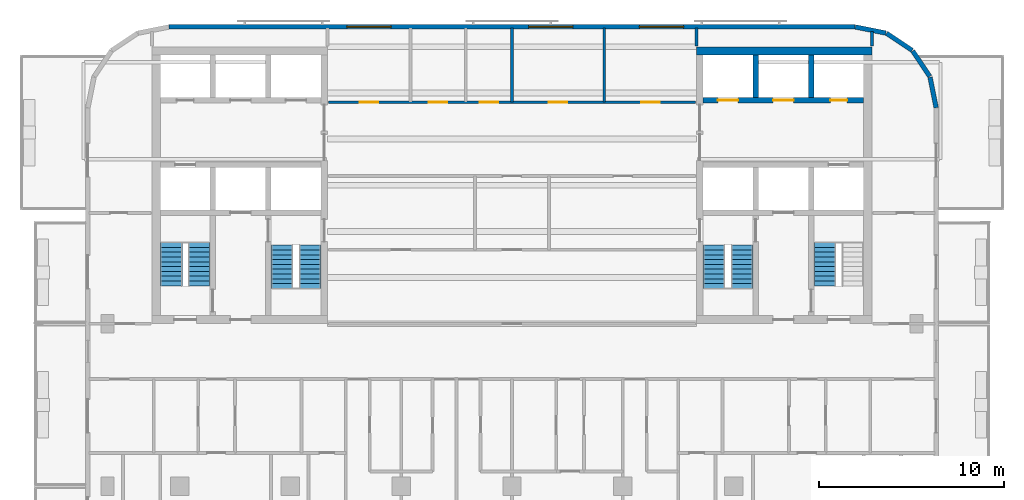
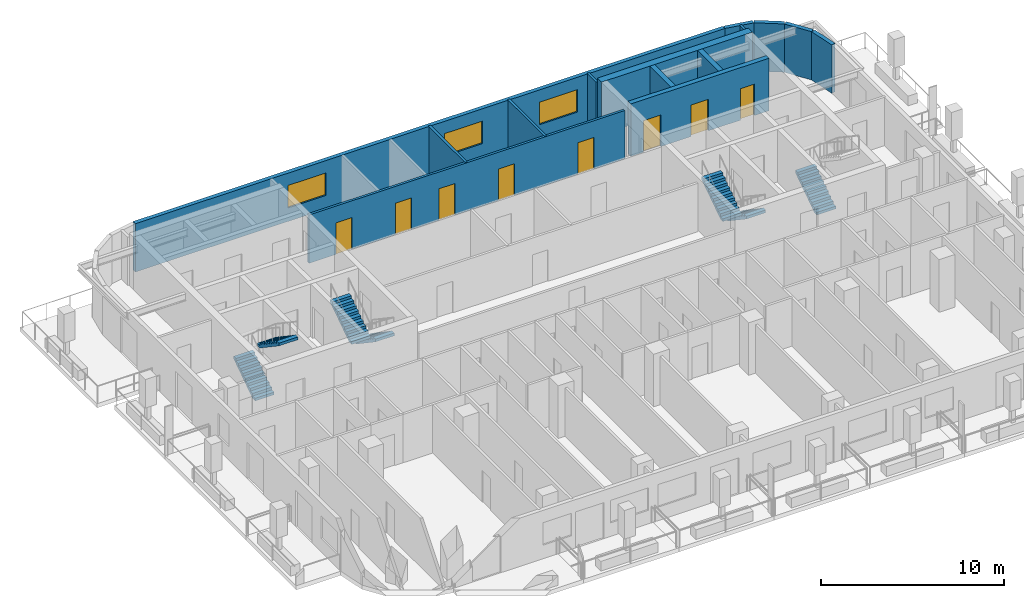
# One storey, part 7 of 11: 14 walls, 8 doors, 7 stair flights, 3 windows, 11 openings, 4 elements without a shape of their own.
"""IFC4 building model written with IfcOpenShell, lengths in metres."""

from ifc_helpers import new_model, si_unit, direction, frame, frame_2d, origin, place, context, subcontext, project, spatial, polyline, rectangle, outline, extrude, material, layer, layer_set, type_object, element, fill, aggregate, save


model = new_model("IFC4")

# Units and contexts
model_context = context("Model", 3, precision=1e-05, world=origin(), true_north=direction((0.0, 1.0)))
body_context = subcontext(model_context, "Body", "Model", "MODEL_VIEW")
ifc_project = project(units=[si_unit("LENGTHUNIT", "METRE"), si_unit("AREAUNIT", "SQUARE_METRE"), si_unit("VOLUMEUNIT", "CUBIC_METRE"), si_unit("PLANEANGLEUNIT", "RADIAN"), si_unit("MASSUNIT", "GRAM", prefix="KILO")], contexts=[model_context])

# Site, building, storey
site_placement = place(None, origin())
site = spatial("IfcSite", under=ifc_project, at=site_placement, CompositionType="ELEMENT")
building_placement = place(site_placement, origin())
building = spatial("IfcBuilding", under=site, at=building_placement, Name="Torana Hotel and Residences", CompositionType="ELEMENT")
storey_placement = place(building_placement, frame((0.0, 0.0, 270.10009765625)))
storey = spatial("IfcBuildingStorey", under=building, at=storey_placement, Name="L71", CompositionType="ELEMENT", Elevation=270.10009765625)

# Wall, openings, doors
ifc_material_1 = material(Name="Concrete C60/75", Category="concrete")
ifc_layer_1 = layer(ifc_material_1, 0.300048828125)
ifc_layer_set_1 = layer_set([ifc_layer_1], Name="CORE WALL 300 C60/75")
wall_type_1 = type_object("IfcWallType", Name="CORE WALL 300 C60/75", PredefinedType="SHEAR", material=ifc_layer_set_1)
wall_1_placement = place(storey_placement, frame((10.35009765625, -2.89990234375, 0.0), z_axis=(0.0, 0.0, 1.0), x_axis=(1.0, 0.0, 0.0)))
wall_1 = element("IfcWall", 1, at=wall_1_placement, inside=storey, type_object=wall_type_1, Name="Core wall E row-N", PredefinedType="SHEAR", context=body_context, shape_type="SweptSolid", body=[
    extrude(rectangle(XDim=8.699951171875, YDim=0.300048828125, at=frame_2d((4.35009765625, 0.0))), origin(), (0.0, 0.0, 1.0), 3.5),
])
opening_1_placement = place(wall_1_placement, frame((0.800048828125, 0.0, 0.0)))
opening_1 = element("IfcOpeningElement", 2, at=opening_1_placement, cuts=wall_1, Name="Opening LD", PredefinedType="OPENING", context=body_context, shape_type="SweptSolid", body=[
    extrude(rectangle(XDim=1.10009765625, YDim=2.10009765625, at=frame_2d((0.550048828125, 1.050048828125))), frame((0.0, 0.159912109375, 0.0), z_axis=(0.0, -1.0, 0.0), x_axis=(1.0, 0.0, 0.0)), (0.0, 0.0, 1.0), 0.320068359375),
])
opening_2_placement = place(wall_1_placement, frame((3.800048828125, 0.0, 0.0)))
opening_2 = element("IfcOpeningElement", 3, at=opening_2_placement, cuts=wall_1, Name="Opening LD", PredefinedType="OPENING", context=body_context, shape_type="SweptSolid", body=[
    extrude(rectangle(XDim=1.10009765625, YDim=2.10009765625, at=frame_2d((0.550048828125, 1.050048828125))), frame((0.0, 0.159912109375, 0.0), z_axis=(0.0, -1.0, 0.0), x_axis=(1.0, 0.0, 0.0)), (0.0, 0.0, 1.0), 0.320068359375),
])
opening_3_placement = place(wall_1_placement, frame((6.89990234375, 0.0, 0.0)))
opening_3 = element("IfcOpeningElement", 4, at=opening_3_placement, cuts=wall_1, Name="Opening L71-14", PredefinedType="OPENING", context=body_context, shape_type="SweptSolid", body=[
    extrude(rectangle(XDim=0.89990234375, YDim=2.10009765625, at=frame_2d((0.449951171875, 1.050048828125))), frame((0.0, 0.159912109375, 0.0), z_axis=(0.0, -1.0, 0.0), x_axis=(1.0, 0.0, 0.0)), (0.0, 0.0, 1.0), 0.320068359375),
])
ifc_material_2 = material(Name="Stainless steel 316", Category="steel")
door_type_1 = type_object("IfcDoorType", Name="LIFT LANDING DOOR LD 1100x2100", OperationType="DOUBLE_DOOR_SLIDING", PredefinedType="USERDEFINED", material=ifc_material_2)
door_1_placement = place(opening_1_placement, origin())
door_1 = element("IfcDoor", 5, at=door_1_placement, inside=storey, type_object=door_type_1, Name="Lift landing door H3 L71", ObjectType="LIFT LANDING DOOR", OperationType="DOUBLE_DOOR_SLIDING", OverallHeight=2.10009765625, OverallWidth=1.10009765625, PredefinedType="USERDEFINED", context=body_context, shape_type="SweptSolid", body=[
    extrude(rectangle(XDim=1.10009765625, YDim=2.10009765625, at=frame_2d((0.550048828125, 1.050048828125))), frame((0.0, 0.02490234375, 0.0), z_axis=(0.0, -1.0, 0.0), x_axis=(1.0, 0.0, 0.0)), (0.0, 0.0, 1.0), 0.050048828125),
])
fill(opening_1, door_1)
door_2_placement = place(opening_2_placement, origin())
door_2 = element("IfcDoor", 6, at=door_2_placement, inside=storey, type_object=door_type_1, Name="Lift landing door H4 L71", ObjectType="LIFT LANDING DOOR", OperationType="DOUBLE_DOOR_SLIDING", OverallHeight=2.10009765625, OverallWidth=1.10009765625, PredefinedType="USERDEFINED", context=body_context, shape_type="SweptSolid", body=[
    extrude(rectangle(XDim=1.10009765625, YDim=2.10009765625, at=frame_2d((0.550048828125, 1.050048828125))), frame((0.0, 0.02490234375, 0.0), z_axis=(0.0, -1.0, 0.0), x_axis=(1.0, 0.0, 0.0)), (0.0, 0.0, 1.0), 0.050048828125),
])
fill(opening_2, door_2)
ifc_material_3 = material(Name="Steel S235", Category="steel")
door_type_2 = type_object("IfcDoorType", Name="RISER ACCESS DOOR D5 900x2100", OperationType="SINGLE_SWING_LEFT", PredefinedType="DOOR", material=ifc_material_3)
door_3_placement = place(opening_3_placement, origin())
door_3 = element("IfcDoor", 7, at=door_3_placement, inside=storey, type_object=door_type_2, Name="N2 door L71", OperationType="SINGLE_SWING_RIGHT", OverallHeight=2.10009765625, OverallWidth=0.89990234375, PredefinedType="DOOR", context=body_context, shape_type="SweptSolid", body=[
    extrude(rectangle(XDim=0.89990234375, YDim=2.10009765625, at=frame_2d((0.449951171875, 1.050048828125))), frame((0.0, 0.02490234375, 0.0), z_axis=(0.0, -1.0, 0.0), x_axis=(1.0, 0.0, 0.0)), (0.0, 0.0, 1.0), 0.050048828125),
])
fill(opening_3, door_3)

# Walls
for number, where, z_axis, x_axis, name in (
    (8, (13.199951171875, -2.75, 0.0), (0.0, 0.0, 1.0), (0.0, 1.0, 0.0), "Core wall E x3.05-N"),
    (9, (16.199951171875, -2.75, 0.0), (0.0, 0.0, 1.0), (0.0, 1.0, 0.0), "Core wall E x6.05-N"),
):
    element("IfcWall", number, at=place(storey_placement, frame(where, z_axis=z_axis, x_axis=x_axis)), inside=storey, type_object=wall_type_1, Name=name, PredefinedType="SHEAR", context=body_context, shape_type="SweptSolid", body=[
        extrude(rectangle(XDim=2.300048828125, YDim=0.300048828125, at=frame_2d((1.14990234375, 0.0))), origin(), (0.0, 0.0, 1.0), 3.5),
    ])
ifc_material_4 = material(Name="Concrete C60/75", Category="concrete")
ifc_layer_2 = layer(ifc_material_4, 0.449951171875)
ifc_layer_set_2 = layer_set([ifc_layer_2], Name="CORE WALL 450 C60/75")
wall_type_2 = type_object("IfcWallType", Name="CORE WALL 450 C60/75", PredefinedType="SHEAR", material=ifc_layer_set_2)
wall_2_placement = place(storey_placement, frame((10.0, -0.22509765625, 0.0), z_axis=(0.0, 0.0, 1.0), x_axis=(1.0, 0.0, 0.0)))
element("IfcWall", 10, at=wall_2_placement, inside=storey, type_object=wall_type_2, Name="Core wall E rear", PredefinedType="SHEAR", context=body_context, shape_type="SweptSolid", body=[
    extrude(rectangle(XDim=9.5, YDim=0.449951171875, at=frame_2d((4.75, 0.0))), origin(), (0.0, 0.0, 1.0), 3.5),
])
ifc_material_5 = material(Name="Black aluminium composite panel", Category="aluminium")
ifc_layer_3 = layer(ifc_material_5, 0.00390625, Name="Cladding", Category="cladding")
ifc_material_6 = material(Name="Ventilated air cavity")
ifc_layer_4 = layer(ifc_material_6, 0.0400390625, Name="Ventilated cavity", Category="cavity")
ifc_material_7 = material(Name="Mineral wool insulation")
ifc_layer_5 = layer(ifc_material_7, 0.090087890625, Name="Insulation", Category="insulation")
ifc_material_8 = material(Name="Steel S280GD", Category="steel")
ifc_layer_6 = layer(ifc_material_8, 0.092041015625, Name="Steel stud frame", Category="structure")
ifc_material_9 = material(Name="Fire rated plasterboard")
ifc_layer_7 = layer(ifc_material_9, 0.011962890625, Name="Inner board", Category="finish")
ifc_layer_8 = layer(ifc_material_9, 0.011962890625, Name="Second board", Category="finish")
ifc_layer_set_3 = layer_set([ifc_layer_3, ifc_layer_4, ifc_layer_5, ifc_layer_6, ifc_layer_7, ifc_layer_8], Name="EW1 EXTERNAL WALL BLACK METAL CLAD 250")
wall_type_3 = type_object("IfcWallType", Name="EW1 EXTERNAL WALL BLACK METAL CLAD 250", PredefinedType="SOLIDWALL", material=ifc_layer_set_3)
wall_3_placement = place(storey_placement, frame((22.97265625, -3.30029296875, 0.0), z_axis=(0.0, 0.0, 1.0), x_axis=(-0.19513878023, 0.980775640221, 0.0)))
element("IfcWall", 11, at=wall_3_placement, inside=storey, type_object=wall_type_3, Name="External wall L71 e0.0", PredefinedType="SOLIDWALL", context=body_context, shape_type="SweptSolid", body=[
    extrude(rectangle(XDim=1.681396484375, YDim=0.25, at=frame_2d((0.8408203125, 0.0))), origin(), (0.0, 0.0, 1.0), 3.219970703125),
])
for number, where, z_axis, x_axis, name in (
    (12, (22.6259765625, -1.60595703125, 0.0), (0.0, 0.0, 1.0), (-0.55555029066, 0.831482937015, 0.0), "External wall L71 e0.1"),
    (13, (21.671142578125, -0.1943359375, 0.0), (0.0, 0.0, 1.0), (-0.831482937015, 0.55555029066, 0.0), "External wall L71 e0.2"),
):
    element("IfcWall", number, at=place(storey_placement, frame(where, z_axis=z_axis, x_axis=x_axis)), inside=storey, type_object=wall_type_3, Name=name, PredefinedType="SOLIDWALL", context=body_context, shape_type="SweptSolid", body=[
        extrude(rectangle(XDim=1.65625, YDim=0.25, at=frame_2d((0.828125, 0.0))), origin(), (0.0, 0.0, 1.0), 3.219970703125),
    ])
wall_4_placement = place(storey_placement, frame((20.248779296875, 0.74462890625, 0.0), z_axis=(0.0, 0.0, 1.0), x_axis=(-0.980797896849, 0.195026884138, 0.0)))
element("IfcWall", 14, at=wall_4_placement, inside=storey, type_object=wall_type_3, Name="External wall L71 e0.3", PredefinedType="SOLIDWALL", context=body_context, shape_type="SweptSolid", body=[
    extrude(rectangle(XDim=1.68115234375, YDim=0.25, at=frame_2d((0.840576171875, 0.0))), origin(), (0.0, 0.0, 1.0), 3.219970703125),
])

# Wall, openings, windows
ifc_material_10 = material(Name="Concrete C40/50 precast", Category="concrete")
ifc_layer_9 = layer(ifc_material_10, 0.10009765625, Name="Perforated block", Category="cladding")
ifc_material_11 = material(Name="Air cavity")
ifc_layer_10 = layer(ifc_material_11, 0.030029296875, Name="Cavity", Category="cavity")
ifc_material_12 = material(Name="Concrete C40/50", Category="concrete")
ifc_layer_11 = layer(ifc_material_12, 0.10009765625, Name="Wall", Category="structure")
ifc_material_13 = material(Name="Plaster and paint")
ifc_layer_12 = layer(ifc_material_13, 0.02001953125, Name="Inner finish", Category="finish")
ifc_layer_set_4 = layer_set([ifc_layer_9, ifc_layer_10, ifc_layer_11, ifc_layer_12], Name="EW2 PERFORATED BLOCK SCREEN WALL 250")
wall_type_4 = type_object("IfcWallType", Name="EW2 PERFORATED BLOCK SCREEN WALL 250", PredefinedType="SOLIDWALL", material=ifc_layer_set_4)
wall_5_placement = place(storey_placement, frame((18.575439453125, 1.074951171875, 0.0), z_axis=(0.0, 0.0, 1.0), x_axis=(-1.0, 0.0, 0.0)))
wall_5 = element("IfcWall", 15, at=wall_5_placement, inside=storey, type_object=wall_type_4, Name="External wall L71 e0.4", PredefinedType="SOLIDWALL", context=body_context, shape_type="SweptSolid", body=[
    extrude(rectangle(XDim=37.15087890625, YDim=0.25, at=frame_2d((18.575439453125, 0.0))), origin(), (0.0, 0.0, 1.0), 3.219970703125),
])
opening_4_placement = place(wall_5_placement, frame((9.275390625, 0.0, 0.89990234375)))
opening_4 = element("IfcOpeningElement", 16, at=opening_4_placement, cuts=wall_5, Name="Opening W3", PredefinedType="OPENING", context=body_context, shape_type="SweptSolid", body=[
    extrude(rectangle(XDim=2.39990234375, YDim=1.5, at=frame_2d((1.199951171875, 0.75))), frame((0.0, 0.135009765625, 0.0), z_axis=(0.0, -1.0, 0.0), x_axis=(1.0, 0.0, 0.0)), (0.0, 0.0, 1.0), 0.27001953125),
])
opening_5_placement = place(wall_5_placement, frame((15.275390625, 0.0, 0.89990234375)))
opening_5 = element("IfcOpeningElement", 17, at=opening_5_placement, cuts=wall_5, Name="Opening W3", PredefinedType="OPENING", context=body_context, shape_type="SweptSolid", body=[
    extrude(rectangle(XDim=2.39990234375, YDim=1.5, at=frame_2d((1.199951171875, 0.75))), frame((0.0, 0.135009765625, 0.0), z_axis=(0.0, -1.0, 0.0), x_axis=(1.0, 0.0, 0.0)), (0.0, 0.0, 1.0), 0.27001953125),
])
opening_6_placement = place(wall_5_placement, frame((25.12548828125, 0.0, 0.89990234375)))
opening_6 = element("IfcOpeningElement", 18, at=opening_6_placement, cuts=wall_5, Name="Opening W3", PredefinedType="OPENING", context=body_context, shape_type="SweptSolid", body=[
    extrude(rectangle(XDim=2.39990234375, YDim=1.5, at=frame_2d((1.199951171875, 0.75))), frame((0.0, 0.135009765625, 0.0), z_axis=(0.0, -1.0, 0.0), x_axis=(1.0, 0.0, 0.0)), (0.0, 0.0, 1.0), 0.27001953125),
])
ifc_material_14 = material(Name="Dark glass in black aluminium frame", Category="aluminium")
window_type = type_object("IfcWindowType", Name="W3 RESIDENCE WINDOW 2400x1500", PartitioningType="SINGLE_PANEL", PredefinedType="WINDOW", material=ifc_material_14)
window_1_placement = place(opening_4_placement, origin())
window_1 = element("IfcWindow", 19, at=window_1_placement, inside=storey, type_object=window_type, Name="Window L71", OverallHeight=1.5, OverallWidth=2.39990234375, PartitioningType="SINGLE_PANEL", PredefinedType="WINDOW", context=body_context, shape_type="SweptSolid", body=[
    extrude(rectangle(XDim=2.39990234375, YDim=1.5, at=frame_2d((1.199951171875, 0.75))), frame((0.0, 0.030029296875, 0.0), z_axis=(0.0, -1.0, 0.0), x_axis=(1.0, 0.0, 0.0)), (0.0, 0.0, 1.0), 0.06005859375),
])
fill(opening_4, window_1)
window_2_placement = place(opening_5_placement, origin())
window_2 = element("IfcWindow", 20, at=window_2_placement, inside=storey, type_object=window_type, Name="Window L71", OverallHeight=1.5, OverallWidth=2.39990234375, PartitioningType="SINGLE_PANEL", PredefinedType="WINDOW", context=body_context, shape_type="SweptSolid", body=[
    extrude(rectangle(XDim=2.39990234375, YDim=1.5, at=frame_2d((1.199951171875, 0.75))), frame((0.0, 0.030029296875, 0.0), z_axis=(0.0, -1.0, 0.0), x_axis=(1.0, 0.0, 0.0)), (0.0, 0.0, 1.0), 0.06005859375),
])
fill(opening_5, window_2)
window_3_placement = place(opening_6_placement, origin())
window_3 = element("IfcWindow", 21, at=window_3_placement, inside=storey, type_object=window_type, Name="Window L71", OverallHeight=1.5, OverallWidth=2.39990234375, PartitioningType="SINGLE_PANEL", PredefinedType="WINDOW", context=body_context, shape_type="SweptSolid", body=[
    extrude(rectangle(XDim=2.39990234375, YDim=1.5, at=frame_2d((1.199951171875, 0.75))), frame((0.0, 0.030029296875, 0.0), z_axis=(0.0, -1.0, 0.0), x_axis=(1.0, 0.0, 0.0)), (0.0, 0.0, 1.0), 0.06005859375),
])
fill(opening_6, window_3)

# Wall, openings, doors
ifc_material_15 = material(Name="Gypsum plaster")
ifc_layer_13 = layer(ifc_material_15, 0.014892578125, Name="Plaster", Category="finish")
ifc_material_16 = material(Name="Concrete blockwork", Category="masonry")
ifc_layer_14 = layer(ifc_material_16, 0.1201171875, Name="Blockwork", Category="structure")
ifc_layer_15 = layer(ifc_material_15, 0.014892578125, Name="Plaster", Category="finish")
ifc_layer_set_5 = layer_set([ifc_layer_13, ifc_layer_14, ifc_layer_15], Name="FIRE PARTITION 150 BLOCKWORK")
wall_type_5 = type_object("IfcWallType", Name="FIRE PARTITION 150 BLOCKWORK", PredefinedType="PARTITIONING", material=ifc_layer_set_5)
wall_6_placement = place(storey_placement, frame((-9.949951171875, -3.0, 0.0), z_axis=(0.0, 0.0, 1.0), x_axis=(1.0, 0.0, 0.0)))
wall_6 = element("IfcWall", 22, at=wall_6_placement, inside=storey, type_object=wall_type_5, Name="Partition L71", PredefinedType="PARTITIONING", context=body_context, shape_type="SweptSolid", body=[
    extrude(rectangle(XDim=19.89990234375, YDim=0.14990234375, at=frame_2d((9.949951171875, 0.0))), origin(), (0.0, 0.0, 1.0), 3.219970703125),
])
opening_7_placement = place(wall_6_placement, frame((1.699951171875, 0.0, 0.0)))
opening_7 = element("IfcOpeningElement", 23, at=opening_7_placement, cuts=wall_6, Name="Opening L71-33", PredefinedType="OPENING", context=body_context, shape_type="SweptSolid", body=[
    extrude(rectangle(XDim=1.0, YDim=2.10009765625, at=frame_2d((0.5, 1.050048828125))), frame((0.0, 0.0849609375, 0.0), z_axis=(0.0, -1.0, 0.0), x_axis=(1.0, 0.0, 0.0)), (0.0, 0.0, 1.0), 0.169921875),
])
opening_8_placement = place(wall_6_placement, frame((5.449951171875, 0.0, 0.0)))
opening_8 = element("IfcOpeningElement", 24, at=opening_8_placement, cuts=wall_6, Name="Opening L71-34", PredefinedType="OPENING", context=body_context, shape_type="SweptSolid", body=[
    extrude(rectangle(XDim=1.0, YDim=2.10009765625, at=frame_2d((0.5, 1.050048828125))), frame((0.0, 0.0849609375, 0.0), z_axis=(0.0, -1.0, 0.0), x_axis=(1.0, 0.0, 0.0)), (0.0, 0.0, 1.0), 0.169921875),
])
opening_9_placement = place(wall_6_placement, frame((8.199951171875, 0.0, 0.0)))
opening_9 = element("IfcOpeningElement", 25, at=opening_9_placement, cuts=wall_6, Name="Opening L71-35", PredefinedType="OPENING", context=body_context, shape_type="SweptSolid", body=[
    extrude(rectangle(XDim=1.0, YDim=2.10009765625, at=frame_2d((0.5, 1.050048828125))), frame((0.0, 0.0849609375, 0.0), z_axis=(0.0, -1.0, 0.0), x_axis=(1.0, 0.0, 0.0)), (0.0, 0.0, 1.0), 0.169921875),
])
opening_10_placement = place(wall_6_placement, frame((11.949951171875, 0.0, 0.0)))
opening_10 = element("IfcOpeningElement", 26, at=opening_10_placement, cuts=wall_6, Name="Opening L71-36", PredefinedType="OPENING", context=body_context, shape_type="SweptSolid", body=[
    extrude(rectangle(XDim=1.0, YDim=2.10009765625, at=frame_2d((0.5, 1.050048828125))), frame((0.0, 0.0849609375, 0.0), z_axis=(0.0, -1.0, 0.0), x_axis=(1.0, 0.0, 0.0)), (0.0, 0.0, 1.0), 0.169921875),
])
opening_11_placement = place(wall_6_placement, frame((16.949951171875, 0.0, 0.0)))
opening_11 = element("IfcOpeningElement", 27, at=opening_11_placement, cuts=wall_6, Name="Opening L71-37", PredefinedType="OPENING", context=body_context, shape_type="SweptSolid", body=[
    extrude(rectangle(XDim=1.0, YDim=2.10009765625, at=frame_2d((0.5, 1.050048828125))), frame((0.0, 0.0849609375, 0.0), z_axis=(0.0, -1.0, 0.0), x_axis=(1.0, 0.0, 0.0)), (0.0, 0.0, 1.0), 0.169921875),
])
ifc_material_17 = material(Name="Steel S235", Category="steel")
door_type_3 = type_object("IfcDoorType", Name="ENTRY FIRE DOOR D6 1000x2100", OperationType="SINGLE_SWING_LEFT", PredefinedType="DOOR", material=ifc_material_17)
door_4_placement = place(opening_7_placement, origin())
door_4 = element("IfcDoor", 28, at=door_4_placement, inside=storey, type_object=door_type_3, Name="Door L71", OperationType="SINGLE_SWING_RIGHT", OverallHeight=2.10009765625, OverallWidth=1.0, PredefinedType="DOOR", context=body_context, shape_type="SweptSolid", body=[
    extrude(rectangle(XDim=1.0, YDim=2.10009765625, at=frame_2d((0.5, 1.050048828125))), frame((0.0, 0.02490234375, 0.0), z_axis=(0.0, -1.0, 0.0), x_axis=(1.0, 0.0, 0.0)), (0.0, 0.0, 1.0), 0.050048828125),
])
fill(opening_7, door_4)
door_5_placement = place(opening_8_placement, origin())
door_5 = element("IfcDoor", 29, at=door_5_placement, inside=storey, type_object=door_type_3, Name="Door L71", OperationType="SINGLE_SWING_RIGHT", OverallHeight=2.10009765625, OverallWidth=1.0, PredefinedType="DOOR", context=body_context, shape_type="SweptSolid", body=[
    extrude(rectangle(XDim=1.0, YDim=2.10009765625, at=frame_2d((0.5, 1.050048828125))), frame((0.0, 0.02490234375, 0.0), z_axis=(0.0, -1.0, 0.0), x_axis=(1.0, 0.0, 0.0)), (0.0, 0.0, 1.0), 0.050048828125),
])
fill(opening_8, door_5)
door_6_placement = place(opening_9_placement, origin())
door_6 = element("IfcDoor", 30, at=door_6_placement, inside=storey, type_object=door_type_3, Name="Door L71", OperationType="SINGLE_SWING_RIGHT", OverallHeight=2.10009765625, OverallWidth=1.0, PredefinedType="DOOR", context=body_context, shape_type="SweptSolid", body=[
    extrude(rectangle(XDim=1.0, YDim=2.10009765625, at=frame_2d((0.5, 1.050048828125))), frame((0.0, 0.02490234375, 0.0), z_axis=(0.0, -1.0, 0.0), x_axis=(1.0, 0.0, 0.0)), (0.0, 0.0, 1.0), 0.050048828125),
])
fill(opening_9, door_6)
door_7_placement = place(opening_10_placement, origin())
door_7 = element("IfcDoor", 31, at=door_7_placement, inside=storey, type_object=door_type_3, Name="Door L71", OperationType="SINGLE_SWING_RIGHT", OverallHeight=2.10009765625, OverallWidth=1.0, PredefinedType="DOOR", context=body_context, shape_type="SweptSolid", body=[
    extrude(rectangle(XDim=1.0, YDim=2.10009765625, at=frame_2d((0.5, 1.050048828125))), frame((0.0, 0.02490234375, 0.0), z_axis=(0.0, -1.0, 0.0), x_axis=(1.0, 0.0, 0.0)), (0.0, 0.0, 1.0), 0.050048828125),
])
fill(opening_10, door_7)
door_8_placement = place(opening_11_placement, origin())
door_8 = element("IfcDoor", 32, at=door_8_placement, inside=storey, type_object=door_type_3, Name="Door L71", OperationType="SINGLE_SWING_RIGHT", OverallHeight=2.10009765625, OverallWidth=1.0, PredefinedType="DOOR", context=body_context, shape_type="SweptSolid", body=[
    extrude(rectangle(XDim=1.0, YDim=2.10009765625, at=frame_2d((0.5, 1.050048828125))), frame((0.0, 0.02490234375, 0.0), z_axis=(0.0, -1.0, 0.0), x_axis=(1.0, 0.0, 0.0)), (0.0, 0.0, 1.0), 0.050048828125),
])
fill(opening_11, door_8)

# Walls
ifc_material_18 = material(Name="Gypsum plasterboard")
ifc_layer_16 = layer(ifc_material_18, 0.012451171875, Name="Plasterboard", Category="finish")
ifc_layer_17 = layer(ifc_material_18, 0.012451171875, Name="Plasterboard", Category="finish")
ifc_layer_18 = layer(ifc_material_8, 0.10009765625, Name="Steel studs with mineral wool", Category="insulation")
ifc_layer_19 = layer(ifc_material_18, 0.012451171875, Name="Plasterboard", Category="finish")
ifc_layer_20 = layer(ifc_material_18, 0.012451171875, Name="Plasterboard", Category="finish")
ifc_layer_set_6 = layer_set([ifc_layer_16, ifc_layer_17, ifc_layer_18, ifc_layer_19, ifc_layer_20], Name="PARTITION 150 PLASTERBOARD")
wall_type_6 = type_object("IfcWallType", Name="PARTITION 150 PLASTERBOARD", PredefinedType="PARTITIONING", material=ifc_layer_set_6)
wall_7_placement = place(storey_placement, frame((19.5, 0.050048828125, 0.0), z_axis=(0.0, 0.0, 1.0), x_axis=(0.0, 1.0, 0.0)))
element("IfcWall", 33, at=wall_7_placement, inside=storey, type_object=wall_type_6, Name="Partition L71", PredefinedType="PARTITIONING", context=body_context, shape_type="SweptSolid", body=[
    extrude(rectangle(XDim=0.787353515625, YDim=0.14990234375, at=frame_2d((0.3935546875, 0.0))), origin(), (0.0, 0.0, 1.0), 3.219970703125),
])
wall_8_placement = place(storey_placement, frame((10.0, 0.050048828125, 0.0), z_axis=(0.0, 0.0, 1.0), x_axis=(0.0, 1.0, 0.0)))
element("IfcWall", 34, at=wall_8_placement, inside=storey, type_object=wall_type_6, Name="Partition L71", PredefinedType="PARTITIONING", context=body_context, shape_type="SweptSolid", body=[
    extrude(rectangle(XDim=0.969970703125, YDim=0.14990234375, at=frame_2d((0.48486328125, 0.0))), origin(), (0.0, 0.0, 1.0), 3.219970703125),
])
wall_9_placement = place(storey_placement, frame((5.0, -3.0, 0.0), z_axis=(0.0, 0.0, 1.0), x_axis=(0.0, 1.0, 0.0)))
element("IfcWall", 35, at=wall_9_placement, inside=storey, type_object=wall_type_6, Name="Partition L71", PredefinedType="PARTITIONING", context=body_context, shape_type="SweptSolid", body=[
    extrude(rectangle(XDim=4.02001953125, YDim=0.14990234375, at=frame_2d((2.010009765625, 0.0))), origin(), (0.0, 0.0, 1.0), 3.219970703125),
])
ifc_material_19 = material(Name="Ceramic tile on adhesive")
ifc_layer_21 = layer(ifc_material_19, 0.010009765625, Name="Wall tile", Category="finish")
ifc_material_20 = material(Name="Cement render")
ifc_layer_22 = layer(ifc_material_20, 0.010009765625, Name="Render", Category="finish")
ifc_layer_23 = layer(ifc_material_16, 0.110107421875, Name="Blockwork", Category="structure")
ifc_layer_24 = layer(ifc_material_20, 0.010009765625, Name="Render", Category="finish")
ifc_layer_25 = layer(ifc_material_19, 0.010009765625, Name="Wall tile", Category="finish")
ifc_layer_set_7 = layer_set([ifc_layer_21, ifc_layer_22, ifc_layer_23, ifc_layer_24, ifc_layer_25], Name="WC PARTITION 150")
wall_type_7 = type_object("IfcWallType", Name="WC PARTITION 150", PredefinedType="PLUMBINGWALL", material=ifc_layer_set_7)
wall_10_placement = place(storey_placement, frame((0.0, -3.0, 0.0), z_axis=(0.0, 0.0, 1.0), x_axis=(0.0, 1.0, 0.0)))
element("IfcWall", 36, at=wall_10_placement, inside=storey, type_object=wall_type_7, Name="Partition L71", PredefinedType="PLUMBINGWALL", context=body_context, shape_type="SweptSolid", body=[
    extrude(rectangle(XDim=4.02001953125, YDim=0.14990234375, at=frame_2d((2.010009765625, 0.0))), origin(), (0.0, 0.0, 1.0), 3.219970703125),
])

# Stair, stair flights
ifc_material_21 = material(Name="Concrete C40/50 precast", Category="concrete")
stair_type_1 = type_object("IfcStairType", Name="STAIR ST1 HALF TURN 1200", PredefinedType="HALF_TURN_STAIR", material=ifc_material_21)
stair_1_placement = place(storey_placement, origin())
stair_1 = element("IfcStair", 37, at=stair_1_placement, inside=storey, type_object=stair_type_1, Name="Stair ST1 L71", PredefinedType="HALF_TURN_STAIR")
ifc_material_22 = material(Name="Concrete C40/50 precast", Category="concrete")
stair_flight_type = type_object("IfcStairFlightType", Name="STAIR FLIGHT 1200 PRECAST", PredefinedType="STRAIGHT", material=ifc_material_22)
stair_flight_1_placement = place(storey_placement, frame((-10.949951171875, -10.75, 0.0), z_axis=(0.0, 0.0, 1.0), x_axis=(0.0, -1.0, 0.0)))
stair_flight_1 = element("IfcStairFlight", 38, at=stair_flight_1_placement, type_object=stair_flight_type, Name="ST1 flight 1", NumberOfRisers=10, NumberOfTreads=9, PredefinedType="STRAIGHT", RiserHeight=0.175, TreadLength=0.26, context=body_context, shape_type="SweptSolid", body=[
    extrude(outline(polyline([(0.0, 0.0), (0.0, 0.175048828125), (0.260009765625, 0.175048828125), (0.260009765625, 0.35009765625), (0.52001953125, 0.35009765625), (0.52001953125, 0.52490234375), (0.780029296875, 0.52490234375), (0.780029296875, 0.699951171875), (1.0400390625, 0.699951171875), (1.0400390625, 0.875), (1.300048828125, 0.875), (1.300048828125, 1.050048828125), (1.56005859375, 1.050048828125), (1.56005859375, 1.22509765625), (1.820068359375, 1.22509765625), (1.820068359375, 1.39990234375), (2.080078125, 1.39990234375), (2.080078125, 1.574951171875), (2.340087890625, 1.574951171875), (2.340087890625, 1.75), (2.340087890625, 1.394287109375), (0.2685546875, 0.0), (0.0, 0.0)])), frame((0.0, 0.60009765625, 0.0), z_axis=(0.0, -1.0, 0.0), x_axis=(1.0, 0.0, 0.0)), (0.0, 0.0, 1.0), 1.199951171875),
])
stair_flight_2_placement = place(storey_placement, frame((-12.449951171875, -13.090087890625, 1.75), z_axis=(0.0, 0.0, 1.0), x_axis=(0.0, 1.0, 0.0)))
stair_flight_2 = element("IfcStairFlight", 39, at=stair_flight_2_placement, type_object=stair_flight_type, Name="ST1 flight 2", NumberOfRisers=10, NumberOfTreads=9, PredefinedType="STRAIGHT", RiserHeight=0.175, TreadLength=0.26, context=body_context, shape_type="SweptSolid", body=[
    extrude(outline(polyline([(0.0, 0.0), (0.0, 0.175048828125), (0.260009765625, 0.175048828125), (0.260009765625, 0.35009765625), (0.52001953125, 0.35009765625), (0.52001953125, 0.52490234375), (0.780029296875, 0.52490234375), (0.780029296875, 0.699951171875), (1.0400390625, 0.699951171875), (1.0400390625, 0.875), (1.300048828125, 0.875), (1.300048828125, 1.050048828125), (1.56005859375, 1.050048828125), (1.56005859375, 1.22509765625), (1.820068359375, 1.22509765625), (1.820068359375, 1.39990234375), (2.080078125, 1.39990234375), (2.080078125, 1.574951171875), (2.340087890625, 1.574951171875), (2.340087890625, 1.75), (2.340087890625, 1.394287109375), (0.2685546875, 0.0), (0.0, 0.0)])), frame((0.0, 0.60009765625, 0.0), z_axis=(0.0, -1.0, 0.0), x_axis=(1.0, 0.0, 0.0)), (0.0, 0.0, 1.0), 1.199951171875),
])
aggregate(stair_1, [stair_flight_1, stair_flight_2])

ifc_material_23 = material(Name="Concrete C40/50 precast", Category="concrete")
stair_type_2 = type_object("IfcStairType", Name="STAIR ST2 HALF TURN 1200", PredefinedType="HALF_TURN_STAIR", material=ifc_material_23)
stair_2_placement = place(storey_placement, origin())
stair_2 = element("IfcStair", 40, at=stair_2_placement, inside=storey, type_object=stair_type_2, Name="Stair ST2 L71", PredefinedType="HALF_TURN_STAIR")
stair_flight_3_placement = place(storey_placement, frame((-18.449951171875, -12.949951171875, 0.0), z_axis=(0.0, 0.0, 1.0), x_axis=(0.0, 1.0, 0.0)))
stair_flight_3 = element("IfcStairFlight", 41, at=stair_flight_3_placement, type_object=stair_flight_type, Name="ST2 flight 1", NumberOfRisers=10, NumberOfTreads=9, PredefinedType="STRAIGHT", RiserHeight=0.175, TreadLength=0.26, context=body_context, shape_type="SweptSolid", body=[
    extrude(outline(polyline([(0.0, 0.0), (0.0, 0.175048828125), (0.260009765625, 0.175048828125), (0.260009765625, 0.35009765625), (0.52001953125, 0.35009765625), (0.52001953125, 0.52490234375), (0.780029296875, 0.52490234375), (0.780029296875, 0.699951171875), (1.0400390625, 0.699951171875), (1.0400390625, 0.875), (1.300048828125, 0.875), (1.300048828125, 1.050048828125), (1.56005859375, 1.050048828125), (1.56005859375, 1.22509765625), (1.820068359375, 1.22509765625), (1.820068359375, 1.39990234375), (2.080078125, 1.39990234375), (2.080078125, 1.574951171875), (2.340087890625, 1.574951171875), (2.340087890625, 1.75), (2.340087890625, 1.394287109375), (0.2685546875, 0.0), (0.0, 0.0)])), frame((0.0, 0.60009765625, 0.0), z_axis=(0.0, -1.0, 0.0), x_axis=(1.0, 0.0, 0.0)), (0.0, 0.0, 1.0), 1.199951171875),
])
stair_flight_4_placement = place(storey_placement, frame((-16.949951171875, -10.610107421875, 1.75), z_axis=(0.0, 0.0, 1.0), x_axis=(0.0, -1.0, 0.0)))
stair_flight_4 = element("IfcStairFlight", 42, at=stair_flight_4_placement, type_object=stair_flight_type, Name="ST2 flight 2", NumberOfRisers=10, NumberOfTreads=9, PredefinedType="STRAIGHT", RiserHeight=0.175, TreadLength=0.26, context=body_context, shape_type="SweptSolid", body=[
    extrude(outline(polyline([(0.0, 0.0), (0.0, 0.175048828125), (0.260009765625, 0.175048828125), (0.260009765625, 0.35009765625), (0.52001953125, 0.35009765625), (0.52001953125, 0.52490234375), (0.780029296875, 0.52490234375), (0.780029296875, 0.699951171875), (1.0400390625, 0.699951171875), (1.0400390625, 0.875), (1.300048828125, 0.875), (1.300048828125, 1.050048828125), (1.56005859375, 1.050048828125), (1.56005859375, 1.22509765625), (1.820068359375, 1.22509765625), (1.820068359375, 1.39990234375), (2.080078125, 1.39990234375), (2.080078125, 1.574951171875), (2.340087890625, 1.574951171875), (2.340087890625, 1.75), (2.340087890625, 1.394287109375), (0.2685546875, 0.0), (0.0, 0.0)])), frame((0.0, 0.60009765625, 0.0), z_axis=(0.0, -1.0, 0.0), x_axis=(1.0, 0.0, 0.0)), (0.0, 0.0, 1.0), 1.199951171875),
])
aggregate(stair_2, [stair_flight_3, stair_flight_4])

ifc_material_24 = material(Name="Concrete C40/50 precast", Category="concrete")
stair_type_3 = type_object("IfcStairType", Name="STAIR ST3 HALF TURN 1200", PredefinedType="HALF_TURN_STAIR", material=ifc_material_24)
stair_3_placement = place(storey_placement, origin())
stair_3 = element("IfcStair", 43, at=stair_3_placement, inside=storey, type_object=stair_type_3, Name="Stair ST3 L71", PredefinedType="HALF_TURN_STAIR")
stair_flight_5_placement = place(storey_placement, frame((12.449951171875, -10.75, 0.0), z_axis=(0.0, 0.0, 1.0), x_axis=(0.0, -1.0, 0.0)))
stair_flight_5 = element("IfcStairFlight", 44, at=stair_flight_5_placement, type_object=stair_flight_type, Name="ST3 flight 1", NumberOfRisers=10, NumberOfTreads=9, PredefinedType="STRAIGHT", RiserHeight=0.175, TreadLength=0.26, context=body_context, shape_type="SweptSolid", body=[
    extrude(outline(polyline([(0.0, 0.0), (0.0, 0.175048828125), (0.260009765625, 0.175048828125), (0.260009765625, 0.35009765625), (0.52001953125, 0.35009765625), (0.52001953125, 0.52490234375), (0.780029296875, 0.52490234375), (0.780029296875, 0.699951171875), (1.0400390625, 0.699951171875), (1.0400390625, 0.875), (1.300048828125, 0.875), (1.300048828125, 1.050048828125), (1.56005859375, 1.050048828125), (1.56005859375, 1.22509765625), (1.820068359375, 1.22509765625), (1.820068359375, 1.39990234375), (2.080078125, 1.39990234375), (2.080078125, 1.574951171875), (2.340087890625, 1.574951171875), (2.340087890625, 1.75), (2.340087890625, 1.394287109375), (0.2685546875, 0.0), (0.0, 0.0)])), frame((0.0, 0.60009765625, 0.0), z_axis=(0.0, -1.0, 0.0), x_axis=(1.0, 0.0, 0.0)), (0.0, 0.0, 1.0), 1.199951171875),
])
stair_flight_6_placement = place(storey_placement, frame((10.949951171875, -13.090087890625, 1.75), z_axis=(0.0, 0.0, 1.0), x_axis=(0.0, 1.0, 0.0)))
stair_flight_6 = element("IfcStairFlight", 45, at=stair_flight_6_placement, type_object=stair_flight_type, Name="ST3 flight 2", NumberOfRisers=10, NumberOfTreads=9, PredefinedType="STRAIGHT", RiserHeight=0.175, TreadLength=0.26, context=body_context, shape_type="SweptSolid", body=[
    extrude(outline(polyline([(0.0, 0.0), (0.0, 0.175048828125), (0.260009765625, 0.175048828125), (0.260009765625, 0.35009765625), (0.52001953125, 0.35009765625), (0.52001953125, 0.52490234375), (0.780029296875, 0.52490234375), (0.780029296875, 0.699951171875), (1.0400390625, 0.699951171875), (1.0400390625, 0.875), (1.300048828125, 0.875), (1.300048828125, 1.050048828125), (1.56005859375, 1.050048828125), (1.56005859375, 1.22509765625), (1.820068359375, 1.22509765625), (1.820068359375, 1.39990234375), (2.080078125, 1.39990234375), (2.080078125, 1.574951171875), (2.340087890625, 1.574951171875), (2.340087890625, 1.75), (2.340087890625, 1.394287109375), (0.2685546875, 0.0), (0.0, 0.0)])), frame((0.0, 0.60009765625, 0.0), z_axis=(0.0, -1.0, 0.0), x_axis=(1.0, 0.0, 0.0)), (0.0, 0.0, 1.0), 1.199951171875),
])
aggregate(stair_3, [stair_flight_5, stair_flight_6])

# Stair, stair flight
ifc_material_25 = material(Name="Concrete C40/50 precast", Category="concrete")
stair_type_4 = type_object("IfcStairType", Name="STAIR ST4 HALF TURN 1200", PredefinedType="HALF_TURN_STAIR", material=ifc_material_25)
stair_4_placement = place(storey_placement, origin())
stair_4 = element("IfcStair", 46, at=stair_4_placement, inside=storey, type_object=stair_type_4, Name="Stair ST4 L71", PredefinedType="HALF_TURN_STAIR")
stair_flight_7_placement = place(storey_placement, frame((16.949951171875, -12.949951171875, 0.0), z_axis=(0.0, 0.0, 1.0), x_axis=(0.0, 1.0, 0.0)))
stair_flight_7 = element("IfcStairFlight", 47, at=stair_flight_7_placement, type_object=stair_flight_type, Name="ST4 flight 1", NumberOfRisers=10, NumberOfTreads=9, PredefinedType="STRAIGHT", RiserHeight=0.175, TreadLength=0.26, context=body_context, shape_type="SweptSolid", body=[
    extrude(outline(polyline([(0.0, 0.0), (0.0, 0.175048828125), (0.260009765625, 0.175048828125), (0.260009765625, 0.35009765625), (0.52001953125, 0.35009765625), (0.52001953125, 0.52490234375), (0.780029296875, 0.52490234375), (0.780029296875, 0.699951171875), (1.0400390625, 0.699951171875), (1.0400390625, 0.875), (1.300048828125, 0.875), (1.300048828125, 1.050048828125), (1.56005859375, 1.050048828125), (1.56005859375, 1.22509765625), (1.820068359375, 1.22509765625), (1.820068359375, 1.39990234375), (2.080078125, 1.39990234375), (2.080078125, 1.574951171875), (2.340087890625, 1.574951171875), (2.340087890625, 1.75), (2.340087890625, 1.394287109375), (0.2685546875, 0.0), (0.0, 0.0)])), frame((0.0, 0.60009765625, 0.0), z_axis=(0.0, -1.0, 0.0), x_axis=(1.0, 0.0, 0.0)), (0.0, 0.0, 1.0), 1.199951171875),
])
aggregate(stair_4, [stair_flight_7])

save(model, "model.ifc")
